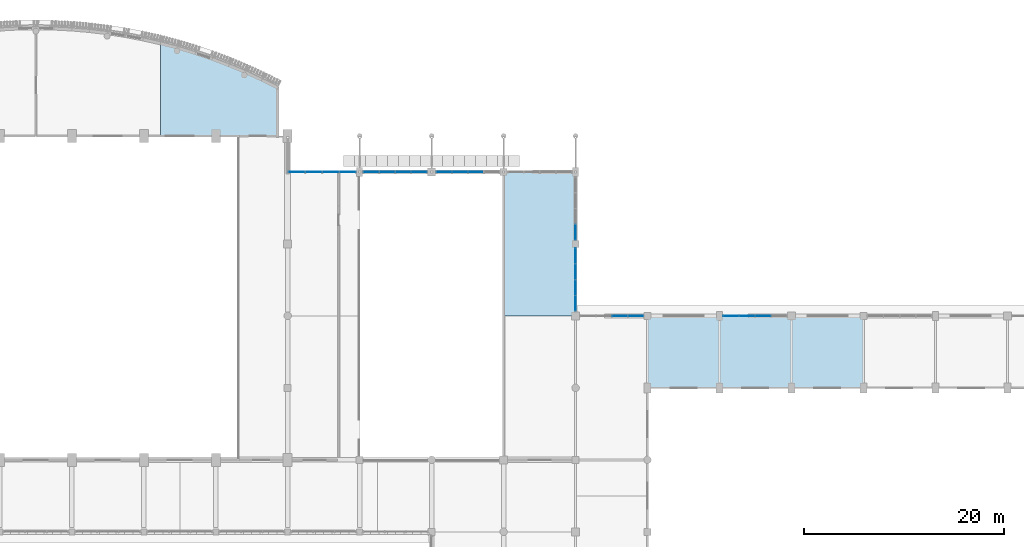
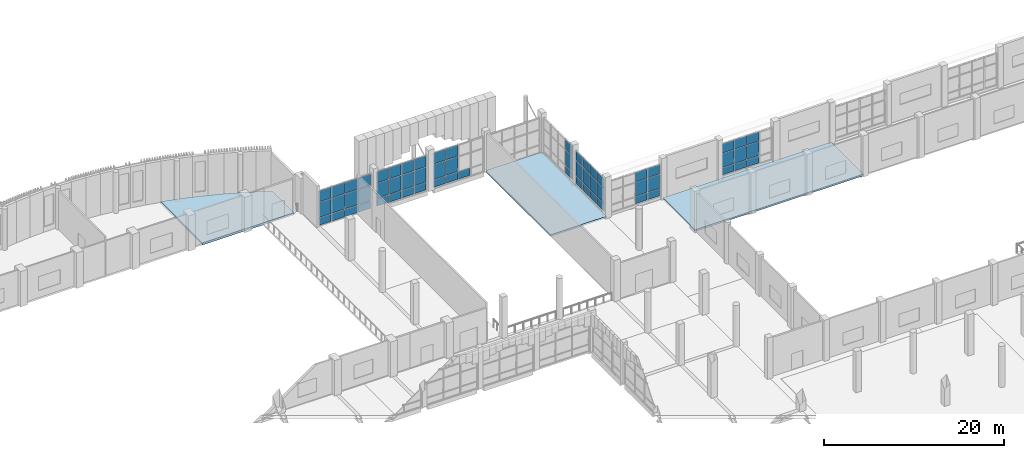
# One storey, part 41 of 80: 61 plates, 3 slabs, 7 elements without a shape of their own.
"""IFC4 building model written with IfcOpenShell, lengths in metres."""

from ifc_helpers import new_model, si_unit, direction, frame, origin, origin_2d, place, context, subcontext, project, spatial, polyline, rectangle, outline, extrude, material, layer, layer_set, type_object, element, aggregate, save


model = new_model("IFC4")

# Units and contexts
model_context = context("Model", 3, precision=1e-05, world=origin(), true_north=direction((0.0, 1.0)))
body_context = subcontext(model_context, "Body", "Model", "MODEL_VIEW")
ifc_project = project(units=[si_unit("LENGTHUNIT", "METRE"), si_unit("AREAUNIT", "SQUARE_METRE"), si_unit("VOLUMEUNIT", "CUBIC_METRE"), si_unit("PLANEANGLEUNIT", "RADIAN"), si_unit("MASSUNIT", "GRAM", prefix="KILO")], contexts=[model_context])

# Site, building, storey
site_placement = place(None, origin())
site = spatial("IfcSite", under=ifc_project, at=site_placement, CompositionType="ELEMENT")
building_placement = place(site_placement, origin())
building = spatial("IfcBuilding", under=site, at=building_placement, Name="Sardonyx Promenade Sports Hall", CompositionType="ELEMENT")
storey_placement = place(building_placement, frame((0.0, 0.0, 5.60009765625)))
storey = spatial("IfcBuildingStorey", under=building, at=storey_placement, Name="L01", CompositionType="ELEMENT", Elevation=5.60009765625)

# Curtain wall, plates
ifc_material_1 = material(Name="Aluminium 6063-T6", Category="aluminium")
curtain_wall_type_1 = type_object("IfcCurtainWallType", Name="CW_Prac_North_L01", PredefinedType="USERDEFINED", material=ifc_material_1)
curtain_wall_1_placement = place(storey_placement, origin())
curtain_wall_1 = element("IfcCurtainWall", 1, at=curtain_wall_1_placement, inside=storey, type_object=curtain_wall_type_1, Name="Curtain wall CW04 cw:L01:103", ObjectType="CURTAIN WALL", PredefinedType="USERDEFINED")
ifc_material_2 = material(Name="Laminated safety sports IGU 36 mm", Category="glass")
ifc_layer_1 = layer(ifc_material_2, 0.035888671875)
ifc_layer_set_1 = layer_set([ifc_layer_1], Name="CW_Pan_Glz_36")
plate_type_1 = type_object("IfcPlateType", Name="CW_Pan_Glz_36", PredefinedType="CURTAIN_PANEL", material=ifc_layer_set_1)
plate_1_placement = place(storey_placement, frame((112.41748046875, 86.39990234375, 0.419921875), z_axis=(0.0, 0.0, 1.0), x_axis=(1.0, 0.0, 0.0)))
plate_1 = element("IfcPlate", 2, at=plate_1_placement, type_object=plate_type_1, Name="Curtain panel CP03 cw:L01:103 #7", PredefinedType="CURTAIN_PANEL", context=body_context, shape_type="SweptSolid", body=[
    extrude(rectangle(XDim=1.514892578125, YDim=0.035888671875, at=origin_2d()), origin(), (0.0, 0.0, 1.0), 0.945068359375),
])
plate_2_placement = place(storey_placement, frame((112.41748046875, 86.39990234375, 1.43505859375), z_axis=(0.0, 0.0, 1.0), x_axis=(1.0, 0.0, 0.0)))
plate_2 = element("IfcPlate", 3, at=plate_2_placement, type_object=plate_type_1, Name="Curtain panel CP03 cw:L01:103 #8", PredefinedType="CURTAIN_PANEL", context=body_context, shape_type="SweptSolid", body=[
    extrude(rectangle(XDim=1.514892578125, YDim=0.035888671875, at=origin_2d()), origin(), (0.0, 0.0, 1.0), 1.8798828125),
])
plate_3_placement = place(storey_placement, frame((112.41748046875, 86.39990234375, 3.384765625), z_axis=(0.0, 0.0, 1.0), x_axis=(1.0, 0.0, 0.0)))
plate_3 = element("IfcPlate", 4, at=plate_3_placement, type_object=plate_type_1, Name="Curtain panel CP03 cw:L01:103 #9", PredefinedType="CURTAIN_PANEL", context=body_context, shape_type="SweptSolid", body=[
    extrude(rectangle(XDim=1.514892578125, YDim=0.035888671875, at=origin_2d()), origin(), (0.0, 0.0, 1.0), 1.2451171875),
])
plate_4_placement = place(storey_placement, frame((114.00244140625, 86.39990234375, 0.419921875), z_axis=(0.0, 0.0, 1.0), x_axis=(1.0, 0.0, 0.0)))
plate_4 = element("IfcPlate", 5, at=plate_4_placement, type_object=plate_type_1, Name="Curtain panel CP03 cw:L01:103 #10", PredefinedType="CURTAIN_PANEL", context=body_context, shape_type="SweptSolid", body=[
    extrude(rectangle(XDim=1.514892578125, YDim=0.035888671875, at=origin_2d()), origin(), (0.0, 0.0, 1.0), 0.945068359375),
])
plate_5_placement = place(storey_placement, frame((114.00244140625, 86.39990234375, 1.43505859375), z_axis=(0.0, 0.0, 1.0), x_axis=(1.0, 0.0, 0.0)))
plate_5 = element("IfcPlate", 6, at=plate_5_placement, type_object=plate_type_1, Name="Curtain panel CP03 cw:L01:103 #11", PredefinedType="CURTAIN_PANEL", context=body_context, shape_type="SweptSolid", body=[
    extrude(rectangle(XDim=1.514892578125, YDim=0.035888671875, at=origin_2d()), origin(), (0.0, 0.0, 1.0), 1.8798828125),
])
plate_6_placement = place(storey_placement, frame((114.00244140625, 86.39990234375, 3.384765625), z_axis=(0.0, 0.0, 1.0), x_axis=(1.0, 0.0, 0.0)))
plate_6 = element("IfcPlate", 7, at=plate_6_placement, type_object=plate_type_1, Name="Curtain panel CP03 cw:L01:103 #12", PredefinedType="CURTAIN_PANEL", context=body_context, shape_type="SweptSolid", body=[
    extrude(rectangle(XDim=1.514892578125, YDim=0.035888671875, at=origin_2d()), origin(), (0.0, 0.0, 1.0), 1.2451171875),
])
aggregate(curtain_wall_1, [plate_1, plate_2, plate_3, plate_4, plate_5, plate_6])

curtain_wall_2_placement = place(storey_placement, origin())
curtain_wall_2 = element("IfcCurtainWall", 8, at=curtain_wall_2_placement, inside=storey, type_object=curtain_wall_type_1, Name="Curtain wall CW04 cw:L01:104", ObjectType="CURTAIN WALL", PredefinedType="USERDEFINED")
plate_7_placement = place(storey_placement, frame((123.5537109375, 86.39990234375, 0.419921875), z_axis=(0.0, 0.0, 1.0), x_axis=(1.0, 0.0, 0.0)))
plate_7 = element("IfcPlate", 9, at=plate_7_placement, type_object=plate_type_1, Name="Curtain panel CP03 cw:L01:104 #1", PredefinedType="CURTAIN_PANEL", context=body_context, shape_type="SweptSolid", body=[
    extrude(rectangle(XDim=1.527587890625, YDim=0.035888671875, at=origin_2d()), origin(), (0.0, 0.0, 1.0), 0.945068359375),
])
plate_8_placement = place(storey_placement, frame((123.5537109375, 86.39990234375, 1.43505859375), z_axis=(0.0, 0.0, 1.0), x_axis=(1.0, 0.0, 0.0)))
plate_8 = element("IfcPlate", 10, at=plate_8_placement, type_object=plate_type_1, Name="Curtain panel CP03 cw:L01:104 #2", PredefinedType="CURTAIN_PANEL", context=body_context, shape_type="SweptSolid", body=[
    extrude(rectangle(XDim=1.527587890625, YDim=0.035888671875, at=origin_2d()), origin(), (0.0, 0.0, 1.0), 1.8798828125),
])
plate_9_placement = place(storey_placement, frame((123.5537109375, 86.39990234375, 3.384765625), z_axis=(0.0, 0.0, 1.0), x_axis=(1.0, 0.0, 0.0)))
plate_9 = element("IfcPlate", 11, at=plate_9_placement, type_object=plate_type_1, Name="Curtain panel CP03 cw:L01:104 #3", PredefinedType="CURTAIN_PANEL", context=body_context, shape_type="SweptSolid", body=[
    extrude(rectangle(XDim=1.527587890625, YDim=0.035888671875, at=origin_2d()), origin(), (0.0, 0.0, 1.0), 1.2451171875),
])
plate_10_placement = place(storey_placement, frame((125.1513671875, 86.39990234375, 0.419921875), z_axis=(0.0, 0.0, 1.0), x_axis=(1.0, 0.0, 0.0)))
plate_10 = element("IfcPlate", 12, at=plate_10_placement, type_object=plate_type_1, Name="Curtain panel CP03 cw:L01:104 #4", PredefinedType="CURTAIN_PANEL", context=body_context, shape_type="SweptSolid", body=[
    extrude(rectangle(XDim=1.527587890625, YDim=0.035888671875, at=origin_2d()), origin(), (0.0, 0.0, 1.0), 0.945068359375),
])
plate_11_placement = place(storey_placement, frame((125.1513671875, 86.39990234375, 1.43505859375), z_axis=(0.0, 0.0, 1.0), x_axis=(1.0, 0.0, 0.0)))
plate_11 = element("IfcPlate", 13, at=plate_11_placement, type_object=plate_type_1, Name="Curtain panel CP03 cw:L01:104 #5", PredefinedType="CURTAIN_PANEL", context=body_context, shape_type="SweptSolid", body=[
    extrude(rectangle(XDim=1.527587890625, YDim=0.035888671875, at=origin_2d()), origin(), (0.0, 0.0, 1.0), 1.8798828125),
])
plate_12_placement = place(storey_placement, frame((125.1513671875, 86.39990234375, 3.384765625), z_axis=(0.0, 0.0, 1.0), x_axis=(1.0, 0.0, 0.0)))
plate_12 = element("IfcPlate", 14, at=plate_12_placement, type_object=plate_type_1, Name="Curtain panel CP03 cw:L01:104 #6", PredefinedType="CURTAIN_PANEL", context=body_context, shape_type="SweptSolid", body=[
    extrude(rectangle(XDim=1.527587890625, YDim=0.035888671875, at=origin_2d()), origin(), (0.0, 0.0, 1.0), 1.2451171875),
])
plate_13_placement = place(storey_placement, frame((126.748779296875, 86.39990234375, 0.419921875), z_axis=(0.0, 0.0, 1.0), x_axis=(1.0, 0.0, 0.0)))
plate_13 = element("IfcPlate", 15, at=plate_13_placement, type_object=plate_type_1, Name="Curtain panel CP03 cw:L01:104 #7", PredefinedType="CURTAIN_PANEL", context=body_context, shape_type="SweptSolid", body=[
    extrude(rectangle(XDim=1.527587890625, YDim=0.035888671875, at=origin_2d()), origin(), (0.0, 0.0, 1.0), 0.945068359375),
])
plate_14_placement = place(storey_placement, frame((126.748779296875, 86.39990234375, 1.43505859375), z_axis=(0.0, 0.0, 1.0), x_axis=(1.0, 0.0, 0.0)))
plate_14 = element("IfcPlate", 16, at=plate_14_placement, type_object=plate_type_1, Name="Curtain panel CP03 cw:L01:104 #8", PredefinedType="CURTAIN_PANEL", context=body_context, shape_type="SweptSolid", body=[
    extrude(rectangle(XDim=1.527587890625, YDim=0.035888671875, at=origin_2d()), origin(), (0.0, 0.0, 1.0), 1.8798828125),
])
plate_15_placement = place(storey_placement, frame((126.748779296875, 86.39990234375, 3.384765625), z_axis=(0.0, 0.0, 1.0), x_axis=(1.0, 0.0, 0.0)))
plate_15 = element("IfcPlate", 17, at=plate_15_placement, type_object=plate_type_1, Name="Curtain panel CP03 cw:L01:104 #9", PredefinedType="CURTAIN_PANEL", context=body_context, shape_type="SweptSolid", body=[
    extrude(rectangle(XDim=1.527587890625, YDim=0.035888671875, at=origin_2d()), origin(), (0.0, 0.0, 1.0), 1.2451171875),
])
aggregate(curtain_wall_2, [plate_7, plate_8, plate_9, plate_10, plate_11, plate_12, plate_13, plate_14, plate_15])

ifc_material_3 = material(Name="Aluminium 6063-T6", Category="aluminium")
curtain_wall_type_2 = type_object("IfcCurtainWallType", Name="CW_Foyer_L01_Tall", PredefinedType="USERDEFINED", material=ifc_material_3)
curtain_wall_3_placement = place(storey_placement, origin())
curtain_wall_3 = element("IfcCurtainWall", 18, at=curtain_wall_3_placement, inside=storey, type_object=curtain_wall_type_2, Name="Curtain wall CW02 cw:L01:089", ObjectType="CURTAIN WALL", PredefinedType="USERDEFINED")
ifc_material_4 = material(Name="Triple-glazed harbour solar IGU 40 mm", Category="glass")
ifc_layer_2 = layer(ifc_material_4, 0.0400390625)
ifc_layer_set_2 = layer_set([ifc_layer_2], Name="CW_Pan_Glz_40")
plate_type_2 = type_object("IfcPlateType", Name="CW_Pan_Glz_40", PredefinedType="CURTAIN_PANEL", material=ifc_layer_set_2)
plate_16_placement = place(storey_placement, frame((80.105712890625, 100.800048828125, 0.07470703125), z_axis=(0.0, 0.0, 1.0), x_axis=(1.0, 0.0, 0.0)))
plate_16 = element("IfcPlate", 19, at=plate_16_placement, type_object=plate_type_2, Name="Curtain panel CP04 cw:L01:089 #1", PredefinedType="CURTAIN_PANEL", context=body_context, shape_type="SweptSolid", body=[
    extrude(rectangle(XDim=1.621337890625, YDim=0.0400390625, at=origin_2d()), origin(), (0.0, 0.0, 1.0), 0.987548828125),
])
plate_17_placement = place(storey_placement, frame((80.105712890625, 100.800048828125, 1.137451171875), z_axis=(0.0, 0.0, 1.0), x_axis=(1.0, 0.0, 0.0)))
plate_17 = element("IfcPlate", 20, at=plate_17_placement, type_object=plate_type_2, Name="Curtain panel CP04 cw:L01:089 #2", PredefinedType="CURTAIN_PANEL", context=body_context, shape_type="SweptSolid", body=[
    extrude(rectangle(XDim=1.621337890625, YDim=0.0400390625, at=origin_2d()), origin(), (0.0, 0.0, 1.0), 2.02490234375),
])
plate_18_placement = place(storey_placement, frame((80.105712890625, 100.800048828125, 3.2373046875), z_axis=(0.0, 0.0, 1.0), x_axis=(1.0, 0.0, 0.0)))
plate_18 = element("IfcPlate", 21, at=plate_18_placement, type_object=plate_type_2, Name="Curtain panel CP04 cw:L01:089 #3", PredefinedType="CURTAIN_PANEL", context=body_context, shape_type="SweptSolid", body=[
    extrude(rectangle(XDim=1.621337890625, YDim=0.0400390625, at=origin_2d()), origin(), (0.0, 0.0, 1.0), 1.487548828125),
])
plate_19_placement = place(storey_placement, frame((81.8017578125, 100.800048828125, 0.07470703125), z_axis=(0.0, 0.0, 1.0), x_axis=(1.0, 0.0, 0.0)))
plate_19 = element("IfcPlate", 22, at=plate_19_placement, type_object=plate_type_2, Name="Curtain panel CP04 cw:L01:089 #4", PredefinedType="CURTAIN_PANEL", context=body_context, shape_type="SweptSolid", body=[
    extrude(rectangle(XDim=1.621337890625, YDim=0.0400390625, at=origin_2d()), origin(), (0.0, 0.0, 1.0), 0.987548828125),
])
plate_20_placement = place(storey_placement, frame((81.8017578125, 100.800048828125, 1.137451171875), z_axis=(0.0, 0.0, 1.0), x_axis=(1.0, 0.0, 0.0)))
plate_20 = element("IfcPlate", 23, at=plate_20_placement, type_object=plate_type_2, Name="Curtain panel CP04 cw:L01:089 #5", PredefinedType="CURTAIN_PANEL", context=body_context, shape_type="SweptSolid", body=[
    extrude(rectangle(XDim=1.621337890625, YDim=0.0400390625, at=origin_2d()), origin(), (0.0, 0.0, 1.0), 2.02490234375),
])
plate_21_placement = place(storey_placement, frame((81.8017578125, 100.800048828125, 3.2373046875), z_axis=(0.0, 0.0, 1.0), x_axis=(1.0, 0.0, 0.0)))
plate_21 = element("IfcPlate", 24, at=plate_21_placement, type_object=plate_type_2, Name="Curtain panel CP04 cw:L01:089 #6", PredefinedType="CURTAIN_PANEL", context=body_context, shape_type="SweptSolid", body=[
    extrude(rectangle(XDim=1.621337890625, YDim=0.0400390625, at=origin_2d()), origin(), (0.0, 0.0, 1.0), 1.487548828125),
])
plate_22_placement = place(storey_placement, frame((83.498046875, 100.800048828125, 0.07470703125), z_axis=(0.0, 0.0, 1.0), x_axis=(1.0, 0.0, 0.0)))
plate_22 = element("IfcPlate", 25, at=plate_22_placement, type_object=plate_type_2, Name="Curtain panel CP04 cw:L01:089 #7", PredefinedType="CURTAIN_PANEL", context=body_context, shape_type="SweptSolid", body=[
    extrude(rectangle(XDim=1.621337890625, YDim=0.0400390625, at=origin_2d()), origin(), (0.0, 0.0, 1.0), 0.987548828125),
])
plate_23_placement = place(storey_placement, frame((83.498046875, 100.800048828125, 1.137451171875), z_axis=(0.0, 0.0, 1.0), x_axis=(1.0, 0.0, 0.0)))
plate_23 = element("IfcPlate", 26, at=plate_23_placement, type_object=plate_type_2, Name="Curtain panel CP04 cw:L01:089 #8", PredefinedType="CURTAIN_PANEL", context=body_context, shape_type="SweptSolid", body=[
    extrude(rectangle(XDim=1.621337890625, YDim=0.0400390625, at=origin_2d()), origin(), (0.0, 0.0, 1.0), 2.02490234375),
])
plate_24_placement = place(storey_placement, frame((83.498046875, 100.800048828125, 3.2373046875), z_axis=(0.0, 0.0, 1.0), x_axis=(1.0, 0.0, 0.0)))
plate_24 = element("IfcPlate", 27, at=plate_24_placement, type_object=plate_type_2, Name="Curtain panel CP04 cw:L01:089 #9", PredefinedType="CURTAIN_PANEL", context=body_context, shape_type="SweptSolid", body=[
    extrude(rectangle(XDim=1.621337890625, YDim=0.0400390625, at=origin_2d()), origin(), (0.0, 0.0, 1.0), 1.487548828125),
])
plate_25_placement = place(storey_placement, frame((85.1943359375, 100.800048828125, 0.07470703125), z_axis=(0.0, 0.0, 1.0), x_axis=(1.0, 0.0, 0.0)))
plate_25 = element("IfcPlate", 28, at=plate_25_placement, type_object=plate_type_2, Name="Curtain panel CP04 cw:L01:089 #10", PredefinedType="CURTAIN_PANEL", context=body_context, shape_type="SweptSolid", body=[
    extrude(rectangle(XDim=1.621337890625, YDim=0.0400390625, at=origin_2d()), origin(), (0.0, 0.0, 1.0), 0.987548828125),
])
plate_26_placement = place(storey_placement, frame((85.1943359375, 100.800048828125, 1.137451171875), z_axis=(0.0, 0.0, 1.0), x_axis=(1.0, 0.0, 0.0)))
plate_26 = element("IfcPlate", 29, at=plate_26_placement, type_object=plate_type_2, Name="Curtain panel CP04 cw:L01:089 #11", PredefinedType="CURTAIN_PANEL", context=body_context, shape_type="SweptSolid", body=[
    extrude(rectangle(XDim=1.621337890625, YDim=0.0400390625, at=origin_2d()), origin(), (0.0, 0.0, 1.0), 2.02490234375),
])
plate_27_placement = place(storey_placement, frame((85.1943359375, 100.800048828125, 3.2373046875), z_axis=(0.0, 0.0, 1.0), x_axis=(1.0, 0.0, 0.0)))
plate_27 = element("IfcPlate", 30, at=plate_27_placement, type_object=plate_type_2, Name="Curtain panel CP04 cw:L01:089 #12", PredefinedType="CURTAIN_PANEL", context=body_context, shape_type="SweptSolid", body=[
    extrude(rectangle(XDim=1.621337890625, YDim=0.0400390625, at=origin_2d()), origin(), (0.0, 0.0, 1.0), 1.487548828125),
])
aggregate(curtain_wall_3, [plate_16, plate_17, plate_18, plate_19, plate_20, plate_21, plate_22, plate_23, plate_24, plate_25, plate_26, plate_27])

curtain_wall_4_placement = place(storey_placement, origin())
curtain_wall_4 = element("IfcCurtainWall", 31, at=curtain_wall_4_placement, inside=storey, type_object=curtain_wall_type_2, Name="Curtain wall CW02 cw:L01:090", ObjectType="CURTAIN WALL", PredefinedType="USERDEFINED")
plate_28_placement = place(storey_placement, frame((87.5556640625, 100.800048828125, 0.07470703125), z_axis=(0.0, 0.0, 1.0), x_axis=(1.0, 0.0, 0.0)))
plate_28 = element("IfcPlate", 32, at=plate_28_placement, type_object=plate_type_2, Name="Curtain panel CP04 cw:L01:090 #1", PredefinedType="CURTAIN_PANEL", context=body_context, shape_type="SweptSolid", body=[
    extrude(rectangle(XDim=1.521240234375, YDim=0.0400390625, at=origin_2d()), origin(), (0.0, 0.0, 1.0), 0.987548828125),
])
plate_29_placement = place(storey_placement, frame((87.5556640625, 100.800048828125, 1.137451171875), z_axis=(0.0, 0.0, 1.0), x_axis=(1.0, 0.0, 0.0)))
plate_29 = element("IfcPlate", 33, at=plate_29_placement, type_object=plate_type_2, Name="Curtain panel CP04 cw:L01:090 #2", PredefinedType="CURTAIN_PANEL", context=body_context, shape_type="SweptSolid", body=[
    extrude(rectangle(XDim=1.521240234375, YDim=0.0400390625, at=origin_2d()), origin(), (0.0, 0.0, 1.0), 2.02490234375),
])
plate_30_placement = place(storey_placement, frame((87.5556640625, 100.800048828125, 3.2373046875), z_axis=(0.0, 0.0, 1.0), x_axis=(1.0, 0.0, 0.0)))
plate_30 = element("IfcPlate", 34, at=plate_30_placement, type_object=plate_type_2, Name="Curtain panel CP04 cw:L01:090 #3", PredefinedType="CURTAIN_PANEL", context=body_context, shape_type="SweptSolid", body=[
    extrude(rectangle(XDim=1.521240234375, YDim=0.0400390625, at=origin_2d()), origin(), (0.0, 0.0, 1.0), 1.487548828125),
])
plate_31_placement = place(storey_placement, frame((89.15185546875, 100.800048828125, 0.07470703125), z_axis=(0.0, 0.0, 1.0), x_axis=(1.0, 0.0, 0.0)))
plate_31 = element("IfcPlate", 35, at=plate_31_placement, type_object=plate_type_2, Name="Curtain panel CP04 cw:L01:090 #4", PredefinedType="CURTAIN_PANEL", context=body_context, shape_type="SweptSolid", body=[
    extrude(rectangle(XDim=1.521240234375, YDim=0.0400390625, at=origin_2d()), origin(), (0.0, 0.0, 1.0), 0.987548828125),
])
plate_32_placement = place(storey_placement, frame((89.15185546875, 100.800048828125, 1.137451171875), z_axis=(0.0, 0.0, 1.0), x_axis=(1.0, 0.0, 0.0)))
plate_32 = element("IfcPlate", 36, at=plate_32_placement, type_object=plate_type_2, Name="Curtain panel CP04 cw:L01:090 #5", PredefinedType="CURTAIN_PANEL", context=body_context, shape_type="SweptSolid", body=[
    extrude(rectangle(XDim=1.521240234375, YDim=0.0400390625, at=origin_2d()), origin(), (0.0, 0.0, 1.0), 2.02490234375),
])
plate_33_placement = place(storey_placement, frame((89.15185546875, 100.800048828125, 3.2373046875), z_axis=(0.0, 0.0, 1.0), x_axis=(1.0, 0.0, 0.0)))
plate_33 = element("IfcPlate", 37, at=plate_33_placement, type_object=plate_type_2, Name="Curtain panel CP04 cw:L01:090 #6", PredefinedType="CURTAIN_PANEL", context=body_context, shape_type="SweptSolid", body=[
    extrude(rectangle(XDim=1.521240234375, YDim=0.0400390625, at=origin_2d()), origin(), (0.0, 0.0, 1.0), 1.487548828125),
])
plate_34_placement = place(storey_placement, frame((90.748046875, 100.800048828125, 0.07470703125), z_axis=(0.0, 0.0, 1.0), x_axis=(1.0, 0.0, 0.0)))
plate_34 = element("IfcPlate", 38, at=plate_34_placement, type_object=plate_type_2, Name="Curtain panel CP04 cw:L01:090 #7", PredefinedType="CURTAIN_PANEL", context=body_context, shape_type="SweptSolid", body=[
    extrude(rectangle(XDim=1.521240234375, YDim=0.0400390625, at=origin_2d()), origin(), (0.0, 0.0, 1.0), 0.987548828125),
])
plate_35_placement = place(storey_placement, frame((90.748046875, 100.800048828125, 1.137451171875), z_axis=(0.0, 0.0, 1.0), x_axis=(1.0, 0.0, 0.0)))
plate_35 = element("IfcPlate", 39, at=plate_35_placement, type_object=plate_type_2, Name="Curtain panel CP04 cw:L01:090 #8", PredefinedType="CURTAIN_PANEL", context=body_context, shape_type="SweptSolid", body=[
    extrude(rectangle(XDim=1.521240234375, YDim=0.0400390625, at=origin_2d()), origin(), (0.0, 0.0, 1.0), 2.02490234375),
])
plate_36_placement = place(storey_placement, frame((90.748046875, 100.800048828125, 3.2373046875), z_axis=(0.0, 0.0, 1.0), x_axis=(1.0, 0.0, 0.0)))
plate_36 = element("IfcPlate", 40, at=plate_36_placement, type_object=plate_type_2, Name="Curtain panel CP04 cw:L01:090 #9", PredefinedType="CURTAIN_PANEL", context=body_context, shape_type="SweptSolid", body=[
    extrude(rectangle(XDim=1.521240234375, YDim=0.0400390625, at=origin_2d()), origin(), (0.0, 0.0, 1.0), 1.487548828125),
])
plate_37_placement = place(storey_placement, frame((92.344482421875, 100.800048828125, 0.07470703125), z_axis=(0.0, 0.0, 1.0), x_axis=(1.0, 0.0, 0.0)))
plate_37 = element("IfcPlate", 41, at=plate_37_placement, type_object=plate_type_2, Name="Curtain panel CP04 cw:L01:090 #10", PredefinedType="CURTAIN_PANEL", context=body_context, shape_type="SweptSolid", body=[
    extrude(rectangle(XDim=1.521240234375, YDim=0.0400390625, at=origin_2d()), origin(), (0.0, 0.0, 1.0), 0.987548828125),
])
plate_38_placement = place(storey_placement, frame((92.344482421875, 100.800048828125, 1.137451171875), z_axis=(0.0, 0.0, 1.0), x_axis=(1.0, 0.0, 0.0)))
plate_38 = element("IfcPlate", 42, at=plate_38_placement, type_object=plate_type_2, Name="Curtain panel CP04 cw:L01:090 #11", PredefinedType="CURTAIN_PANEL", context=body_context, shape_type="SweptSolid", body=[
    extrude(rectangle(XDim=1.521240234375, YDim=0.0400390625, at=origin_2d()), origin(), (0.0, 0.0, 1.0), 2.02490234375),
])
plate_39_placement = place(storey_placement, frame((92.344482421875, 100.800048828125, 3.2373046875), z_axis=(0.0, 0.0, 1.0), x_axis=(1.0, 0.0, 0.0)))
plate_39 = element("IfcPlate", 43, at=plate_39_placement, type_object=plate_type_2, Name="Curtain panel CP04 cw:L01:090 #12", PredefinedType="CURTAIN_PANEL", context=body_context, shape_type="SweptSolid", body=[
    extrude(rectangle(XDim=1.521240234375, YDim=0.0400390625, at=origin_2d()), origin(), (0.0, 0.0, 1.0), 1.487548828125),
])
aggregate(curtain_wall_4, [plate_28, plate_29, plate_30, plate_31, plate_32, plate_33, plate_34, plate_35, plate_36, plate_37, plate_38, plate_39])

curtain_wall_5_placement = place(storey_placement, origin())
curtain_wall_5 = element("IfcCurtainWall", 44, at=curtain_wall_5_placement, inside=storey, type_object=curtain_wall_type_2, Name="Curtain wall CW02 cw:L01:091", ObjectType="CURTAIN WALL", PredefinedType="USERDEFINED")
plate_40_placement = place(storey_placement, frame((94.849365234375, 100.800048828125, 0.07470703125), z_axis=(0.0, 0.0, 1.0), x_axis=(1.0, 0.0, 0.0)))
plate_40 = element("IfcPlate", 45, at=plate_40_placement, type_object=plate_type_2, Name="Curtain panel CP04 cw:L01:091 #1", PredefinedType="CURTAIN_PANEL", context=body_context, shape_type="SweptSolid", body=[
    extrude(rectangle(XDim=1.5087890625, YDim=0.0400390625, at=origin_2d()), origin(), (0.0, 0.0, 1.0), 0.987548828125),
])
plate_41_placement = place(storey_placement, frame((94.849365234375, 100.800048828125, 1.137451171875), z_axis=(0.0, 0.0, 1.0), x_axis=(1.0, 0.0, 0.0)))
plate_41 = element("IfcPlate", 46, at=plate_41_placement, type_object=plate_type_2, Name="Curtain panel CP04 cw:L01:091 #2", PredefinedType="CURTAIN_PANEL", context=body_context, shape_type="SweptSolid", body=[
    extrude(rectangle(XDim=1.5087890625, YDim=0.0400390625, at=origin_2d()), origin(), (0.0, 0.0, 1.0), 2.02490234375),
])
plate_42_placement = place(storey_placement, frame((94.849365234375, 100.800048828125, 3.2373046875), z_axis=(0.0, 0.0, 1.0), x_axis=(1.0, 0.0, 0.0)))
plate_42 = element("IfcPlate", 47, at=plate_42_placement, type_object=plate_type_2, Name="Curtain panel CP04 cw:L01:091 #3", PredefinedType="CURTAIN_PANEL", context=body_context, shape_type="SweptSolid", body=[
    extrude(rectangle(XDim=1.5087890625, YDim=0.0400390625, at=origin_2d()), origin(), (0.0, 0.0, 1.0), 1.487548828125),
])
plate_43_placement = place(storey_placement, frame((96.43310546875, 100.800048828125, 0.07470703125), z_axis=(0.0, 0.0, 1.0), x_axis=(1.0, 0.0, 0.0)))
plate_43 = element("IfcPlate", 48, at=plate_43_placement, type_object=plate_type_2, Name="Curtain panel CP04 cw:L01:091 #4", PredefinedType="CURTAIN_PANEL", context=body_context, shape_type="SweptSolid", body=[
    extrude(rectangle(XDim=1.5087890625, YDim=0.0400390625, at=origin_2d()), origin(), (0.0, 0.0, 1.0), 0.987548828125),
])
plate_44_placement = place(storey_placement, frame((96.43310546875, 100.800048828125, 1.137451171875), z_axis=(0.0, 0.0, 1.0), x_axis=(1.0, 0.0, 0.0)))
plate_44 = element("IfcPlate", 49, at=plate_44_placement, type_object=plate_type_2, Name="Curtain panel CP04 cw:L01:091 #5", PredefinedType="CURTAIN_PANEL", context=body_context, shape_type="SweptSolid", body=[
    extrude(rectangle(XDim=1.5087890625, YDim=0.0400390625, at=origin_2d()), origin(), (0.0, 0.0, 1.0), 2.02490234375),
])
plate_45_placement = place(storey_placement, frame((96.43310546875, 100.800048828125, 3.2373046875), z_axis=(0.0, 0.0, 1.0), x_axis=(1.0, 0.0, 0.0)))
plate_45 = element("IfcPlate", 50, at=plate_45_placement, type_object=plate_type_2, Name="Curtain panel CP04 cw:L01:091 #6", PredefinedType="CURTAIN_PANEL", context=body_context, shape_type="SweptSolid", body=[
    extrude(rectangle(XDim=1.5087890625, YDim=0.0400390625, at=origin_2d()), origin(), (0.0, 0.0, 1.0), 1.487548828125),
])
plate_46_placement = place(storey_placement, frame((98.016845703125, 100.800048828125, 0.07470703125), z_axis=(0.0, 0.0, 1.0), x_axis=(1.0, 0.0, 0.0)))
plate_46 = element("IfcPlate", 51, at=plate_46_placement, type_object=plate_type_2, Name="Curtain panel CP04 cw:L01:091 #7", PredefinedType="CURTAIN_PANEL", context=body_context, shape_type="SweptSolid", body=[
    extrude(rectangle(XDim=1.5087890625, YDim=0.0400390625, at=origin_2d()), origin(), (0.0, 0.0, 1.0), 0.987548828125),
])
aggregate(curtain_wall_5, [plate_40, plate_41, plate_42, plate_43, plate_44, plate_45, plate_46])

curtain_wall_6_placement = place(storey_placement, origin())
curtain_wall_6 = element("IfcCurtainWall", 52, at=curtain_wall_6_placement, inside=storey, type_object=curtain_wall_type_2, Name="Curtain wall CW02 cw:L01:095", ObjectType="CURTAIN WALL", PredefinedType="USERDEFINED")
plate_47_placement = place(storey_placement, frame((108.0, 94.793212890625, 0.375), z_axis=(0.0, 0.0, 1.0), x_axis=(0.0, -1.0, 0.0)))
plate_47 = element("IfcPlate", 53, at=plate_47_placement, type_object=plate_type_2, Name="Curtain panel CP04 cw:L01:095 #10", PredefinedType="CURTAIN_PANEL", context=body_context, shape_type="SweptSolid", body=[
    extrude(rectangle(XDim=1.496337890625, YDim=0.0400390625, at=origin_2d()), origin(), (0.0, 0.0, 1.0), 0.987548828125),
])
plate_48_placement = place(storey_placement, frame((108.0, 94.793212890625, 1.4375), z_axis=(0.0, 0.0, 1.0), x_axis=(0.0, -1.0, 0.0)))
plate_48 = element("IfcPlate", 54, at=plate_48_placement, type_object=plate_type_2, Name="Curtain panel CP04 cw:L01:095 #11", PredefinedType="CURTAIN_PANEL", context=body_context, shape_type="SweptSolid", body=[
    extrude(rectangle(XDim=1.496337890625, YDim=0.0400390625, at=origin_2d()), origin(), (0.0, 0.0, 1.0), 2.02490234375),
])
plate_49_placement = place(storey_placement, frame((108.0, 94.793212890625, 3.537353515625), z_axis=(0.0, 0.0, 1.0), x_axis=(0.0, -1.0, 0.0)))
plate_49 = element("IfcPlate", 55, at=plate_49_placement, type_object=plate_type_2, Name="Curtain panel CP04 cw:L01:095 #12", PredefinedType="CURTAIN_PANEL", context=body_context, shape_type="SweptSolid", body=[
    extrude(rectangle(XDim=1.496337890625, YDim=0.0400390625, at=origin_2d()), origin(), (0.0, 0.0, 1.0), 1.37255859375),
])
aggregate(curtain_wall_6, [plate_47, plate_48, plate_49])

curtain_wall_7_placement = place(storey_placement, origin())
curtain_wall_7 = element("IfcCurtainWall", 56, at=curtain_wall_7_placement, inside=storey, type_object=curtain_wall_type_2, Name="Curtain wall CW02 cw:L01:096", ObjectType="CURTAIN WALL", PredefinedType="USERDEFINED")
plate_50_placement = place(storey_placement, frame((108.0, 92.400634765625, 0.375), z_axis=(0.0, 0.0, 1.0), x_axis=(0.0, -1.0, 0.0)))
plate_50 = element("IfcPlate", 57, at=plate_50_placement, type_object=plate_type_2, Name="Curtain panel CP04 cw:L01:096 #1", PredefinedType="CURTAIN_PANEL", context=body_context, shape_type="SweptSolid", body=[
    extrude(rectangle(XDim=1.5087890625, YDim=0.0400390625, at=origin_2d()), origin(), (0.0, 0.0, 1.0), 0.987548828125),
])
plate_51_placement = place(storey_placement, frame((108.0, 92.400634765625, 1.4375), z_axis=(0.0, 0.0, 1.0), x_axis=(0.0, -1.0, 0.0)))
plate_51 = element("IfcPlate", 58, at=plate_51_placement, type_object=plate_type_2, Name="Curtain panel CP04 cw:L01:096 #2", PredefinedType="CURTAIN_PANEL", context=body_context, shape_type="SweptSolid", body=[
    extrude(rectangle(XDim=1.5087890625, YDim=0.0400390625, at=origin_2d()), origin(), (0.0, 0.0, 1.0), 2.02490234375),
])
plate_52_placement = place(storey_placement, frame((108.0, 92.400634765625, 3.537353515625), z_axis=(0.0, 0.0, 1.0), x_axis=(0.0, -1.0, 0.0)))
plate_52 = element("IfcPlate", 59, at=plate_52_placement, type_object=plate_type_2, Name="Curtain panel CP04 cw:L01:096 #3", PredefinedType="CURTAIN_PANEL", context=body_context, shape_type="SweptSolid", body=[
    extrude(rectangle(XDim=1.5087890625, YDim=0.0400390625, at=origin_2d()), origin(), (0.0, 0.0, 1.0), 1.232421875),
])
plate_53_placement = place(storey_placement, frame((108.0, 90.81689453125, 0.375), z_axis=(0.0, 0.0, 1.0), x_axis=(0.0, -1.0, 0.0)))
plate_53 = element("IfcPlate", 60, at=plate_53_placement, type_object=plate_type_2, Name="Curtain panel CP04 cw:L01:096 #4", PredefinedType="CURTAIN_PANEL", context=body_context, shape_type="SweptSolid", body=[
    extrude(rectangle(XDim=1.5087890625, YDim=0.0400390625, at=origin_2d()), origin(), (0.0, 0.0, 1.0), 0.987548828125),
])
plate_54_placement = place(storey_placement, frame((108.0, 90.81689453125, 1.4375), z_axis=(0.0, 0.0, 1.0), x_axis=(0.0, -1.0, 0.0)))
plate_54 = element("IfcPlate", 61, at=plate_54_placement, type_object=plate_type_2, Name="Curtain panel CP04 cw:L01:096 #5", PredefinedType="CURTAIN_PANEL", context=body_context, shape_type="SweptSolid", body=[
    extrude(rectangle(XDim=1.5087890625, YDim=0.0400390625, at=origin_2d()), origin(), (0.0, 0.0, 1.0), 2.02490234375),
])
plate_55_placement = place(storey_placement, frame((108.0, 90.81689453125, 3.537353515625), z_axis=(0.0, 0.0, 1.0), x_axis=(0.0, -1.0, 0.0)))
plate_55 = element("IfcPlate", 62, at=plate_55_placement, type_object=plate_type_2, Name="Curtain panel CP04 cw:L01:096 #6", PredefinedType="CURTAIN_PANEL", context=body_context, shape_type="SweptSolid", body=[
    extrude(rectangle(XDim=1.5087890625, YDim=0.0400390625, at=origin_2d()), origin(), (0.0, 0.0, 1.0), 1.232421875),
])
plate_56_placement = place(storey_placement, frame((108.0, 89.233154296875, 0.375), z_axis=(0.0, 0.0, 1.0), x_axis=(0.0, -1.0, 0.0)))
plate_56 = element("IfcPlate", 63, at=plate_56_placement, type_object=plate_type_2, Name="Curtain panel CP04 cw:L01:096 #7", PredefinedType="CURTAIN_PANEL", context=body_context, shape_type="SweptSolid", body=[
    extrude(rectangle(XDim=1.5087890625, YDim=0.0400390625, at=origin_2d()), origin(), (0.0, 0.0, 1.0), 0.987548828125),
])
plate_57_placement = place(storey_placement, frame((108.0, 89.233154296875, 1.4375), z_axis=(0.0, 0.0, 1.0), x_axis=(0.0, -1.0, 0.0)))
plate_57 = element("IfcPlate", 64, at=plate_57_placement, type_object=plate_type_2, Name="Curtain panel CP04 cw:L01:096 #8", PredefinedType="CURTAIN_PANEL", context=body_context, shape_type="SweptSolid", body=[
    extrude(rectangle(XDim=1.5087890625, YDim=0.0400390625, at=origin_2d()), origin(), (0.0, 0.0, 1.0), 2.02490234375),
])
plate_58_placement = place(storey_placement, frame((108.0, 89.233154296875, 3.537353515625), z_axis=(0.0, 0.0, 1.0), x_axis=(0.0, -1.0, 0.0)))
plate_58 = element("IfcPlate", 65, at=plate_58_placement, type_object=plate_type_2, Name="Curtain panel CP04 cw:L01:096 #9", PredefinedType="CURTAIN_PANEL", context=body_context, shape_type="SweptSolid", body=[
    extrude(rectangle(XDim=1.5087890625, YDim=0.0400390625, at=origin_2d()), origin(), (0.0, 0.0, 1.0), 1.232421875),
])
plate_59_placement = place(storey_placement, frame((108.0, 87.6494140625, 0.375), z_axis=(0.0, 0.0, 1.0), x_axis=(0.0, -1.0, 0.0)))
plate_59 = element("IfcPlate", 66, at=plate_59_placement, type_object=plate_type_2, Name="Curtain panel CP04 cw:L01:096 #10", PredefinedType="CURTAIN_PANEL", context=body_context, shape_type="SweptSolid", body=[
    extrude(rectangle(XDim=1.5087890625, YDim=0.0400390625, at=origin_2d()), origin(), (0.0, 0.0, 1.0), 0.987548828125),
])
plate_60_placement = place(storey_placement, frame((108.0, 87.6494140625, 1.4375), z_axis=(0.0, 0.0, 1.0), x_axis=(0.0, -1.0, 0.0)))
plate_60 = element("IfcPlate", 67, at=plate_60_placement, type_object=plate_type_2, Name="Curtain panel CP04 cw:L01:096 #11", PredefinedType="CURTAIN_PANEL", context=body_context, shape_type="SweptSolid", body=[
    extrude(rectangle(XDim=1.5087890625, YDim=0.0400390625, at=origin_2d()), origin(), (0.0, 0.0, 1.0), 2.02490234375),
])
plate_61_placement = place(storey_placement, frame((108.0, 87.6494140625, 3.537353515625), z_axis=(0.0, 0.0, 1.0), x_axis=(0.0, -1.0, 0.0)))
plate_61 = element("IfcPlate", 68, at=plate_61_placement, type_object=plate_type_2, Name="Curtain panel CP04 cw:L01:096 #12", PredefinedType="CURTAIN_PANEL", context=body_context, shape_type="SweptSolid", body=[
    extrude(rectangle(XDim=1.5087890625, YDim=0.0400390625, at=origin_2d()), origin(), (0.0, 0.0, 1.0), 1.232421875),
])
aggregate(curtain_wall_7, [plate_50, plate_51, plate_52, plate_53, plate_54, plate_55, plate_56, plate_57, plate_58, plate_59, plate_60, plate_61])

# Slabs
ifc_material_5 = material(Name="Concrete C40/50", Category="concrete")
ifc_layer_3 = layer(ifc_material_5, 0.2900390625)
ifc_layer_set_3 = layer_set([ifc_layer_3], Name="Slab_Ext_Loggia_220")
slab_type_1 = type_object("IfcSlabType", Name="Slab_Ext_Loggia_220", PredefinedType="FLOOR", material=ifc_layer_set_3)
slab_1_placement = place(storey_placement, frame((0.0, 0.0, -0.2900390625)))
element("IfcSlab", 69, at=slab_1_placement, inside=storey, type_object=slab_type_1, Name="Bowed promenade loggia slab L01 #4", PredefinedType="FLOOR", context=body_context, shape_type="SweptSolid", body=[
    extrude(outline(polyline([(66.477783203125, 104.39990234375), (78.226318359375, 104.39990234375), (78.226318359375, 109.2119140625), (76.619140625, 110.022705078125), (74.985107421875, 110.777587890625), (73.325927734375, 111.475341796875), (71.6435546875, 112.115234375), (69.93994140625, 112.696533203125), (68.21728515625, 113.21875), (66.477783203125, 113.6806640625), (66.477783203125, 104.39990234375)])), origin(), (0.0, 0.0, 1.0), 0.2900390625),
])
ifc_material_6 = material(Name="Concrete C40/50", Category="concrete")
ifc_layer_4 = layer(ifc_material_6, 0.219970703125)
ifc_layer_set_4 = layer_set([ifc_layer_4], Name="Slab_Floor_Gallery_220")
slab_type_2 = type_object("IfcSlabType", Name="Slab_Floor_Gallery_220", PredefinedType="FLOOR", material=ifc_layer_set_4)
slab_2_placement = place(storey_placement, frame((0.0, 0.0, -0.22021484375)))
element("IfcSlab", 70, at=slab_2_placement, inside=storey, type_object=slab_type_2, Name="Slab FS04 L01 #115", PredefinedType="FLOOR", context=body_context, shape_type="SweptSolid", body=[
    extrude(outline(polyline([(115.199951171875, 79.199951171875), (136.800048828125, 79.199951171875), (136.800048828125, 86.39990234375), (115.199951171875, 86.39990234375), (115.199951171875, 79.199951171875)])), origin(), (0.0, 0.0, 1.0), 0.22021484375),
])
slab_3_placement = place(storey_placement, frame((0.0, 0.0, -0.22021484375)))
element("IfcSlab", 71, at=slab_3_placement, inside=storey, type_object=slab_type_2, Name="Slab FS04 L01 #124", PredefinedType="FLOOR", context=body_context, shape_type="SweptSolid", body=[
    extrude(outline(polyline([(100.800048828125, 86.39990234375), (108.0, 86.39990234375), (108.0, 100.800048828125), (100.800048828125, 100.800048828125), (100.800048828125, 86.39990234375)])), origin(), (0.0, 0.0, 1.0), 0.22021484375),
])

save(model, "model.ifc")
